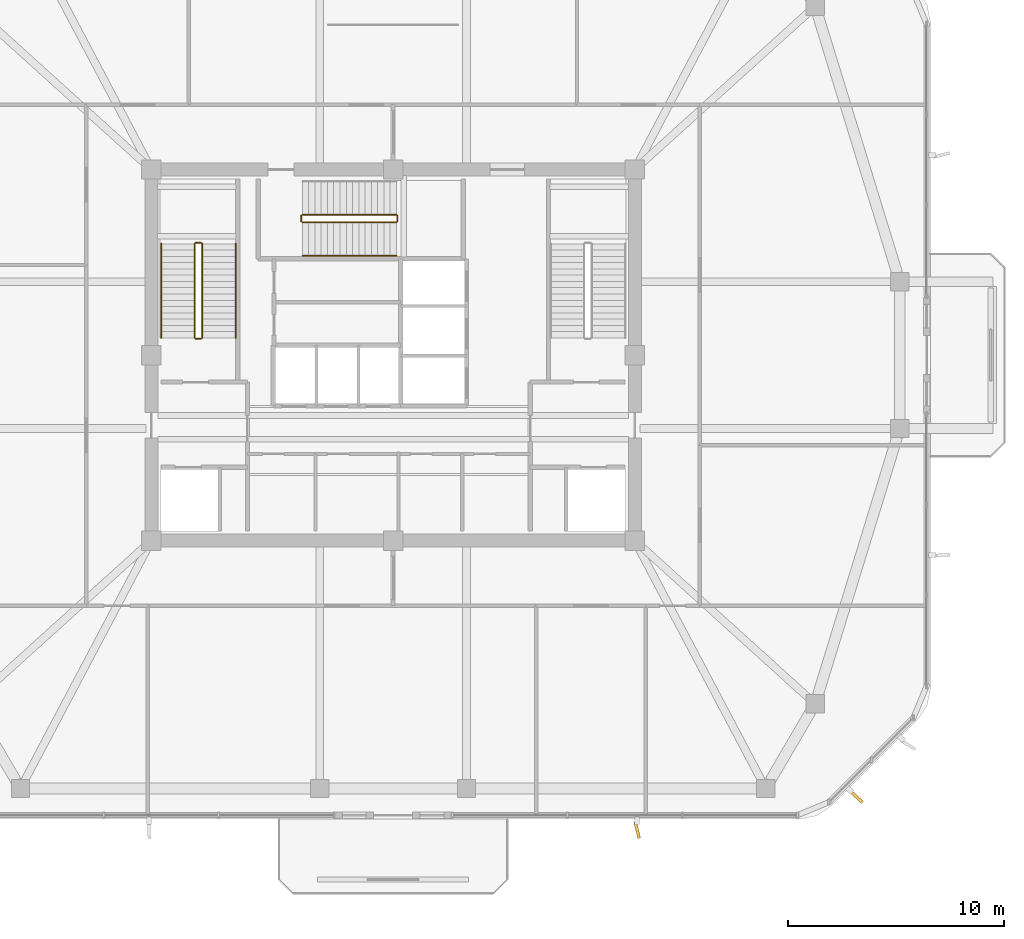
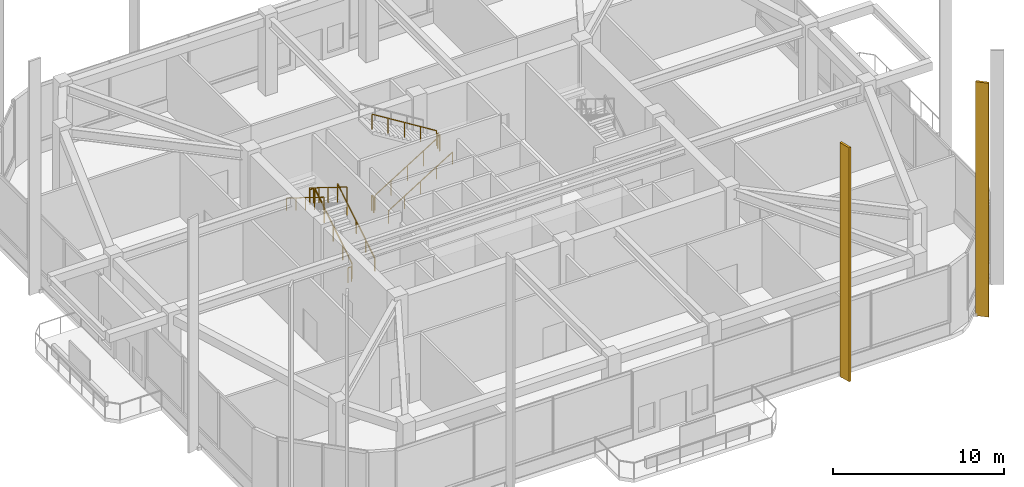
# One storey, part 12 of 14: 11 railings, 2 shading devices.
"""IFC4 building model written with IfcOpenShell, lengths in metres."""

import ifcopenshell
import ifcopenshell.guid

model = None  # the IFC model being written
_history = None  # IfcOwnerHistory: only IFC2X3 demands one
_inside = {}  # id of a spatial element -> (the spatial element, [elements in it])
_under = {}  # id of a project, library or spatial element -> (it, [spatial elements below it])
_declared = {}  # id of a project -> (the project, [libraries it declares])
_typed = {}  # id of a type object -> (the type object, [elements of that type])
_made_of = {}  # id of a material, layer set ... -> (it, [elements and type objects made of it])


def new_model(schema):
    """Start an empty IFC model of exactly this schema.

    Asked for "IFC4X3", IfcOpenShell would pick the latest addendum, in which some entities
    have other attributes; the version numbers below select the first issue.
    IFC2X3 requires an IfcOwnerHistory on every rooted entity: one is made here for all.
    """
    global model, _history
    if schema == "IFC4X3":
        model = ifcopenshell.file(schema_version=(4, 3, 0, 0))
    else:
        model = ifcopenshell.file(schema=schema)
    _inside.clear()
    _under.clear()
    _declared.clear()
    _typed.clear()
    _made_of.clear()
    _history = None
    if model.schema == "IFC2X3":
        org = make("IfcOrganization", Name="unknown")
        user = make(
            "IfcPersonAndOrganization",
            ThePerson=make("IfcPerson", FamilyName="unknown"),
            TheOrganization=org,
        )
        app = make(
            "IfcApplication",
            ApplicationDeveloper=org,
            Version="unknown",
            ApplicationFullName="unknown",
            ApplicationIdentifier="unknown",
        )
        _history = make(
            "IfcOwnerHistory",
            OwningUser=user,
            OwningApplication=app,
            ChangeAction="ADDED",
            CreationDate=0,
        )
    return model


def make(cls, **values):
    """One entity of the class cls with the attributes given. An attribute that is None is left unset."""
    return model.create_entity(
        cls, **{name: value for name, value in values.items() if value is not None}
    )


def rooted(cls, **values):
    """An entity with a GlobalId (a new one), such as an element, a storey or a relation."""
    return make(cls, GlobalId=ifcopenshell.guid.new(), OwnerHistory=_history, **values)


def si_unit(unit_type, name, prefix=None):
    """IfcSIUnit, for example si_unit("LENGTHUNIT", "METRE", prefix="MILLI")."""
    return make("IfcSIUnit", UnitType=unit_type, Prefix=prefix, Name=name)


def derived_unit(unit_type, elements):
    """IfcDerivedUnit: a product of units, each with its exponent."""
    return make(
        "IfcDerivedUnit",
        Elements=[
            make("IfcDerivedUnitElement", Unit=unit, Exponent=power)
            for unit, power in elements
        ],
        UnitType=unit_type,
    )


def assignment(units):
    """IfcUnitAssignment: the units of a project."""
    return None if units is None else make("IfcUnitAssignment", Units=units)


def point(xyz):
    """IfcCartesianPoint."""
    return None if xyz is None else make("IfcCartesianPoint", Coordinates=xyz)


def direction(xyz):
    """IfcDirection."""
    return None if xyz is None else make("IfcDirection", DirectionRatios=xyz)


def frame(location, z_axis=None, x_axis=None):
    """IfcAxis2Placement3D, a coordinate frame: its origin and axes. An axis left out is left unset."""
    return make(
        "IfcAxis2Placement3D",
        Location=point(location),
        Axis=direction(z_axis),
        RefDirection=direction(x_axis),
    )


def frame_2d(location, x_axis=None):
    """IfcAxis2Placement2D, a coordinate frame in the plane: its origin and x axis."""
    return make(
        "IfcAxis2Placement2D", Location=point(location), RefDirection=direction(x_axis)
    )


def origin():
    """The frame at (0, 0, 0) with its axes left unset."""
    return frame((0.0, 0.0, 0.0))


def origin_2d():
    """The frame at (0, 0) in the plane with its x axis left unset."""
    return frame_2d((0.0, 0.0))


def place(relative_to, where):
    """IfcLocalPlacement: puts the frame where relative to a parent placement (None: the world)."""
    return make(
        "IfcLocalPlacement", PlacementRelTo=relative_to, RelativePlacement=where
    )


def context(
    kind, dimensions, precision=None, world=None, true_north=None, identifier=None
):
    """IfcGeometricRepresentationContext, for example the 3D "Model" context."""
    return make(
        "IfcGeometricRepresentationContext",
        ContextIdentifier=identifier,
        ContextType=kind,
        CoordinateSpaceDimension=dimensions,
        Precision=precision,
        WorldCoordinateSystem=world,
        TrueNorth=true_north,
    )


def subcontext(parent, identifier, kind, view, scale=None):
    """IfcGeometricRepresentationSubContext, for example "Body" below "Model"."""
    return make(
        "IfcGeometricRepresentationSubContext",
        ContextIdentifier=identifier,
        ContextType=kind,
        ParentContext=parent,
        TargetScale=scale,
        TargetView=view,
    )


def project(units=None, contexts=None):
    """IfcProject with its units and contexts."""
    return rooted(
        "IfcProject",
        Name="project",
        RepresentationContexts=contexts,
        UnitsInContext=assignment(units),
    )


def spatial(cls, under=None, at=None, **own):
    """A site, building, storey or space (cls), placed at a placement, below another one or the project."""
    s = rooted(cls, ObjectPlacement=at, **own)
    if under is not None:
        _under.setdefault(under.id(), (under, []))[1].append(s)
    return s


def profile(cls, at=None, kind="AREA", **sizes):
    """A parametric profile (cls). Its sizes go by their IFC names, for example OverallWidth=200.0."""
    return make(cls, ProfileType=kind, Position=at, **sizes)


def rectangle(**sizes):
    """IfcRectangleProfileDef."""
    return profile("IfcRectangleProfileDef", **sizes)


def extrude(swept, where, along, depth):
    """IfcExtrudedAreaSolid: the profile swept, set in the frame where, extruded along a direction by depth."""
    return make(
        "IfcExtrudedAreaSolid",
        SweptArea=swept,
        Position=where,
        ExtrudedDirection=direction(along),
        Depth=depth,
    )


def shape(context_of_items, identifier, shape_type, items):
    """IfcShapeRepresentation: the items that make up one representation, for example the "Body"."""
    return make(
        "IfcShapeRepresentation",
        ContextOfItems=context_of_items,
        RepresentationIdentifier=identifier,
        RepresentationType=shape_type,
        Items=items,
    )


def material(Name=None, Category=None):
    """IfcMaterial."""
    return make("IfcMaterial", Name=Name, Category=Category)


def made_of(thing, what):
    """Note that an element or type object is made of a material, layer set ...; save() writes the relation."""
    if what is not None:
        _made_of.setdefault(what.id(), (what, []))[1].append(thing)
    return thing


def type_object(cls, material=None, **own):
    """A type object (cls), such as IfcWallType, which elements share."""
    return made_of(rooted(cls, **own), material)


def element(
    cls,
    number,
    at=None,
    inside=None,
    cuts=None,
    type_object=None,
    material=None,
    context=None,
    identifier="Body",
    shape_type=None,
    held_by="IfcProductDefinitionShape",
    body=None,
    shapes=None,
    **own,
):
    """One element of the class cls, such as IfcWall. Its Tag is "e" and its number.

    at: its placement. inside: the storey or other place that contains it. cuts: it is an
    opening in that element (IfcRelVoidsElement). A single representation is given by context,
    identifier, shape_type and body (its items); several are given by shapes. held_by: the class
    of the entity that holds the representations. save() writes the other relations.
    """
    e = rooted(cls, Tag="e%d" % number, ObjectPlacement=at, **own)
    if body is not None:
        shapes = [shape(context, identifier, shape_type, body)]
    if shapes is not None:
        e.Representation = make(held_by, Representations=shapes)
    if inside is not None:
        _inside.setdefault(inside.id(), (inside, []))[1].append(e)
    if cuts is not None:
        rooted(
            "IfcRelVoidsElement", RelatingBuildingElement=cuts, RelatedOpeningElement=e
        )
    if type_object is not None:
        _typed.setdefault(type_object.id(), (type_object, []))[1].append(e)
    return made_of(e, material)


def aggregate(whole, parts):
    """IfcRelAggregates: a whole, such as a stair, and the parts it consists of."""
    return rooted("IfcRelAggregates", RelatingObject=whole, RelatedObjects=parts)


def save(model, path):
    """Write the relations noted so far, then the file.

    IfcRelAggregates (storeys below a building ...), IfcRelContainedInSpatialStructure (elements
    in a storey), IfcRelDefinesByType, IfcRelAssociatesMaterial and IfcRelDeclares: one each for
    every whole, place, type object, material and project.
    """
    for whole, parts in _under.values():
        aggregate(whole, parts)
    for where, things in _inside.values():
        rooted(
            "IfcRelContainedInSpatialStructure",
            RelatedElements=things,
            RelatingStructure=where,
        )
    for kind, things in _typed.values():
        rooted("IfcRelDefinesByType", RelatedObjects=things, RelatingType=kind)
    for what, things in _made_of.values():
        rooted("IfcRelAssociatesMaterial", RelatedObjects=things, RelatingMaterial=what)
    for by, libraries in _declared.values():
        rooted("IfcRelDeclares", RelatingContext=by, RelatedDefinitions=libraries)
    model.write(path)


model = new_model("IFC4")

# Units and contexts
model_context = context("Model", 3, precision=1e-05, world=origin(), true_north=direction((0.0, 1.0)))
body_context = subcontext(model_context, "Body", "Model", "MODEL_VIEW")
ifc_project = project(units=[si_unit("LENGTHUNIT", "METRE"), si_unit("AREAUNIT", "SQUARE_METRE"), si_unit("VOLUMEUNIT", "CUBIC_METRE"), si_unit("PLANEANGLEUNIT", "RADIAN"), si_unit("MASSUNIT", "GRAM", prefix="KILO"), derived_unit("THERMALTRANSMITTANCEUNIT", [(si_unit("POWERUNIT", "WATT"), 1), (si_unit("LENGTHUNIT", "METRE"), -2), (si_unit("THERMODYNAMICTEMPERATUREUNIT", "KELVIN"), -1)])], contexts=[model_context])

# Site, building, storey
site_placement = place(None, origin())
site = spatial("IfcSite", under=ifc_project, at=site_placement, CompositionType="ELEMENT")
building_placement = place(site_placement, origin())
building = spatial("IfcBuilding", under=site, at=building_placement, Name="Koralith Skygarden Medical Center", CompositionType="ELEMENT")
storey_placement = place(building_placement, frame((0.0, 0.0, 237.06005859375)))
storey = spatial("IfcBuildingStorey", under=building, at=storey_placement, Name="L61", CompositionType="ELEMENT", Elevation=237.06005859375)

# Shading devices
ifc_material_1 = material(Name="Aluminium 6063-T6", Category="aluminium")
shading_device_type = type_object("IfcShadingDeviceType", Name="Limestone-Clad Solar Storm Fin 780", PredefinedType="USERDEFINED", material=ifc_material_1)
for number, where, z_axis, x_axis, name in (
    (1, (48.31005859375, 3.889892578125, -0.199951171875), (0.0, 0.0, 1.0), (0.239092751175, -0.970996733432, 0.0), "L61 S Harmonic Solar Storm Fin 2"),
    (2, (58.4619140625, 5.43994140625, -0.199951171875), (0.0, 0.0, 1.0), (0.733350278476, -0.679850990334, 0.0), "L61 SE Harmonic Solar Storm Fin 1"),
):
    element("IfcShadingDevice", number, at=place(storey_placement, frame(where, z_axis=z_axis, x_axis=x_axis)), inside=storey, type_object=shading_device_type, Name=name, ObjectType="SOLAR FIN", PredefinedType="USERDEFINED", context=body_context, shape_type="SweptSolid", body=[
        extrude(rectangle(XDim=0.780029296875, YDim=0.139892578125, at=origin_2d()), origin(), (0.0, 0.0, 1.0), 16.7099609375),
    ])

# Railings
ifc_material_2 = material(Name="Steel ASTM A500 Grade C", Category="steel")
railing_type_1 = type_object("IfcRailingType", Name="Stair Flight Tubular Handrail 920", PredefinedType="HANDRAIL", material=ifc_material_2)
railing_1_placement = place(storey_placement, frame((29.699951171875, 26.699951171875, 0.179931640625)))
element("IfcRailing", 3, at=railing_1_placement, inside=storey, type_object=railing_type_1, Name="L61 ST1 stair handrail 1", PredefinedType="HANDRAIL", context=body_context, shape_type="SweptSolid", body=[
    extrude(rectangle(XDim=0.050048828125, YDim=0.050048828125, at=origin_2d()), frame((0.0, 0.001708984375, 0.89599609375), z_axis=(0.0, 0.849649743971, 0.527347430608), x_axis=(-1.0, 0.0, 0.0)), (0.0, 0.0, 1.0), 5.115966796875),
    extrude(rectangle(XDim=0.0419921875, YDim=0.0419921875, at=origin_2d()), origin(), (0.0, 0.0, 1.0), 0.867919921875),
    extrude(rectangle(XDim=0.0419921875, YDim=0.0419921875, at=origin_2d()), frame((0.0, 1.08740234375, 0.675048828125)), (0.0, 0.0, 1.0), 0.867919921875),
    extrude(rectangle(XDim=0.0419921875, YDim=0.0419921875, at=origin_2d()), frame((0.0, 2.175048828125, 1.35009765625)), (0.0, 0.0, 1.0), 0.867919921875),
    extrude(rectangle(XDim=0.0419921875, YDim=0.0419921875, at=origin_2d()), frame((0.0, 3.2626953125, 2.02490234375)), (0.0, 0.0, 1.0), 0.867919921875),
    extrude(rectangle(XDim=0.0419921875, YDim=0.0419921875, at=origin_2d()), frame((0.0, 4.35009765625, 2.699951171875)), (0.0, 0.0, 1.0), 0.867919921875),
])
railing_2_placement = place(storey_placement, frame((26.25, 31.050048828125, 3.06005859375)))
element("IfcRailing", 4, at=railing_2_placement, inside=storey, type_object=railing_type_1, Name="L61 ST1 stair handrail 2", PredefinedType="HANDRAIL", context=body_context, shape_type="SweptSolid", body=[
    extrude(rectangle(XDim=0.050048828125, YDim=0.050048828125, at=origin_2d()), frame((0.0, -0.001708984375, 0.89599609375), z_axis=(0.0, -0.849649743971, 0.527347430608), x_axis=(1.0, 0.0, 0.0)), (0.0, 0.0, 1.0), 5.115966796875),
    extrude(rectangle(XDim=0.0419921875, YDim=0.0419921875, at=origin_2d()), origin(), (0.0, 0.0, 1.0), 0.867919921875),
    extrude(rectangle(XDim=0.0419921875, YDim=0.0419921875, at=origin_2d()), frame((0.0, -1.08740234375, 0.675048828125)), (0.0, 0.0, 1.0), 0.867919921875),
    extrude(rectangle(XDim=0.0419921875, YDim=0.0419921875, at=origin_2d()), frame((0.0, -2.175048828125, 1.35009765625)), (0.0, 0.0, 1.0), 0.867919921875),
    extrude(rectangle(XDim=0.0419921875, YDim=0.0419921875, at=origin_2d()), frame((0.0, -3.2626953125, 2.02490234375)), (0.0, 0.0, 1.0), 0.867919921875),
    extrude(rectangle(XDim=0.0419921875, YDim=0.0419921875, at=origin_2d()), frame((0.0, -4.35009765625, 2.699951171875)), (0.0, 0.0, 1.0), 0.867919921875),
])
railing_3_placement = place(storey_placement, frame((32.800048828125, 30.5, 0.179931640625)))
element("IfcRailing", 5, at=railing_3_placement, inside=storey, type_object=railing_type_1, Name="L61 ST3 stair handrail 1", PredefinedType="HANDRAIL", context=body_context, shape_type="SweptSolid", body=[
    extrude(rectangle(XDim=0.050048828125, YDim=0.050048828125, at=origin_2d()), frame((0.001708984375, 0.0, 0.89599609375), z_axis=(0.849636482215, 0.0, 0.527368797038), x_axis=(0.0, 1.0, 0.0)), (0.0, 0.0, 1.0), 5.11572265625),
    extrude(rectangle(XDim=0.0419921875, YDim=0.0419921875, at=origin_2d()), origin(), (0.0, 0.0, 1.0), 0.867919921875),
    extrude(rectangle(XDim=0.0419921875, YDim=0.0419921875, at=origin_2d()), frame((1.08740234375, 0.0, 0.675048828125)), (0.0, 0.0, 1.0), 0.867919921875),
    extrude(rectangle(XDim=0.0419921875, YDim=0.0419921875, at=origin_2d()), frame((2.1748046875, 0.0, 1.35009765625)), (0.0, 0.0, 1.0), 0.867919921875),
    extrude(rectangle(XDim=0.0419921875, YDim=0.0419921875, at=origin_2d()), frame((3.262451171875, 0.0, 2.02490234375)), (0.0, 0.0, 1.0), 0.867919921875),
    extrude(rectangle(XDim=0.0419921875, YDim=0.0419921875, at=origin_2d()), frame((4.349853515625, 0.0, 2.699951171875)), (0.0, 0.0, 1.0), 0.867919921875),
])
railing_type_2 = type_object("IfcRailingType", Name="Stair Well Safety Guardrail 1100", PredefinedType="GUARDRAIL", material=ifc_material_2)
railing_4_placement = place(storey_placement, frame((28.14990234375, 26.699951171875, 0.179931640625)))
element("IfcRailing", 6, at=railing_4_placement, inside=storey, type_object=railing_type_2, Name="L61 ST1 stair guard 1", PredefinedType="GUARDRAIL", context=body_context, shape_type="SweptSolid", body=[
    extrude(rectangle(XDim=0.050048828125, YDim=0.050048828125, at=origin_2d()), frame((0.0, 0.001708984375, 1.076171875), z_axis=(0.0, 0.849649743971, 0.527347430608), x_axis=(-1.0, 0.0, 0.0)), (0.0, 0.0, 1.0), 5.115966796875),
    extrude(rectangle(XDim=0.0419921875, YDim=0.0419921875, at=origin_2d()), origin(), (0.0, 0.0, 1.0), 1.048095703125),
    extrude(rectangle(XDim=0.0419921875, YDim=0.0419921875, at=origin_2d()), frame((0.0, 1.08740234375, 0.675048828125)), (0.0, 0.0, 1.0), 1.048095703125),
    extrude(rectangle(XDim=0.0419921875, YDim=0.0419921875, at=origin_2d()), frame((0.0, 2.175048828125, 1.35009765625)), (0.0, 0.0, 1.0), 1.048095703125),
    extrude(rectangle(XDim=0.0419921875, YDim=0.0419921875, at=origin_2d()), frame((0.0, 3.2626953125, 2.02490234375)), (0.0, 0.0, 1.0), 1.048095703125),
    extrude(rectangle(XDim=0.0419921875, YDim=0.0419921875, at=origin_2d()), frame((0.0, 4.35009765625, 2.699951171875)), (0.0, 0.0, 1.0), 1.048095703125),
])
railing_5_placement = place(storey_placement, frame((28.10009765625, 31.10009765625, 2.8798828125)))
element("IfcRailing", 7, at=railing_5_placement, inside=storey, type_object=railing_type_2, Name="L61 ST1 stair guard 2", PredefinedType="GUARDRAIL", context=body_context, shape_type="SweptSolid", body=[
    extrude(rectangle(XDim=0.050048828125, YDim=0.050048828125, at=origin_2d()), frame((-0.001953125, 0.0, 1.0751953125), z_axis=(-1.0, 0.0, 0.0), x_axis=(0.0, -1.0, 0.0)), (0.0, 0.0, 1.0), 0.24609375),
    extrude(rectangle(XDim=0.0419921875, YDim=0.0419921875, at=origin_2d()), origin(), (0.0, 0.0, 1.0), 1.048095703125),
    extrude(rectangle(XDim=0.0419921875, YDim=0.0419921875, at=origin_2d()), frame((-0.25, 0.0, 0.0)), (0.0, 0.0, 1.0), 1.048095703125),
])
railing_6_placement = place(storey_placement, frame((27.800048828125, 31.050048828125, 3.06005859375)))
element("IfcRailing", 8, at=railing_6_placement, inside=storey, type_object=railing_type_2, Name="L61 ST1 stair guard 3", PredefinedType="GUARDRAIL", context=body_context, shape_type="SweptSolid", body=[
    extrude(rectangle(XDim=0.050048828125, YDim=0.050048828125, at=origin_2d()), frame((0.0, -0.001708984375, 1.076171875), z_axis=(0.0, -0.849649743971, 0.527347430608), x_axis=(1.0, 0.0, 0.0)), (0.0, 0.0, 1.0), 5.115966796875),
    extrude(rectangle(XDim=0.0419921875, YDim=0.0419921875, at=origin_2d()), origin(), (0.0, 0.0, 1.0), 1.048095703125),
    extrude(rectangle(XDim=0.0419921875, YDim=0.0419921875, at=origin_2d()), frame((0.0, -1.08740234375, 0.675048828125)), (0.0, 0.0, 1.0), 1.048095703125),
    extrude(rectangle(XDim=0.0419921875, YDim=0.0419921875, at=origin_2d()), frame((0.0, -2.175048828125, 1.35009765625)), (0.0, 0.0, 1.0), 1.048095703125),
    extrude(rectangle(XDim=0.0419921875, YDim=0.0419921875, at=origin_2d()), frame((0.0, -3.2626953125, 2.02490234375)), (0.0, 0.0, 1.0), 1.048095703125),
    extrude(rectangle(XDim=0.0419921875, YDim=0.0419921875, at=origin_2d()), frame((0.0, -4.35009765625, 2.699951171875)), (0.0, 0.0, 1.0), 1.048095703125),
])
railing_7_placement = place(storey_placement, frame((28.10009765625, 26.64990234375, 0.0)))
element("IfcRailing", 9, at=railing_7_placement, inside=storey, type_object=railing_type_2, Name="L61 ST1 stair guard 4", PredefinedType="GUARDRAIL", context=body_context, shape_type="SweptSolid", body=[
    extrude(rectangle(XDim=0.050048828125, YDim=0.050048828125, at=origin_2d()), frame((-0.001953125, 0.0, 1.0751953125), z_axis=(-1.0, 0.0, 0.0), x_axis=(0.0, -1.0, 0.0)), (0.0, 0.0, 1.0), 0.24609375),
    extrude(rectangle(XDim=0.0419921875, YDim=0.0419921875, at=origin_2d()), origin(), (0.0, 0.0, 1.0), 1.048095703125),
    extrude(rectangle(XDim=0.0419921875, YDim=0.0419921875, at=origin_2d()), frame((-0.25, 0.0, 0.0)), (0.0, 0.0, 1.0), 1.048095703125),
])
railing_8_placement = place(storey_placement, frame((32.800048828125, 32.050048828125, 0.179931640625)))
element("IfcRailing", 10, at=railing_8_placement, inside=storey, type_object=railing_type_2, Name="L61 ST3 stair guard 1", PredefinedType="GUARDRAIL", context=body_context, shape_type="SweptSolid", body=[
    extrude(rectangle(XDim=0.050048828125, YDim=0.050048828125, at=origin_2d()), frame((0.001708984375, 0.0, 1.076171875), z_axis=(0.849636482215, 0.0, 0.527368797038), x_axis=(0.0, 1.0, 0.0)), (0.0, 0.0, 1.0), 5.11572265625),
    extrude(rectangle(XDim=0.0419921875, YDim=0.0419921875, at=origin_2d()), origin(), (0.0, 0.0, 1.0), 1.048095703125),
    extrude(rectangle(XDim=0.0419921875, YDim=0.0419921875, at=origin_2d()), frame((1.08740234375, 0.0, 0.675048828125)), (0.0, 0.0, 1.0), 1.048095703125),
    extrude(rectangle(XDim=0.0419921875, YDim=0.0419921875, at=origin_2d()), frame((2.1748046875, 0.0, 1.35009765625)), (0.0, 0.0, 1.0), 1.048095703125),
    extrude(rectangle(XDim=0.0419921875, YDim=0.0419921875, at=origin_2d()), frame((3.262451171875, 0.0, 2.02490234375)), (0.0, 0.0, 1.0), 1.048095703125),
    extrude(rectangle(XDim=0.0419921875, YDim=0.0419921875, at=origin_2d()), frame((4.349853515625, 0.0, 2.699951171875)), (0.0, 0.0, 1.0), 1.048095703125),
])
railing_9_placement = place(storey_placement, frame((37.199951171875, 32.10009765625, 2.8798828125)))
element("IfcRailing", 11, at=railing_9_placement, inside=storey, type_object=railing_type_2, Name="L61 ST3 stair guard 2", PredefinedType="GUARDRAIL", context=body_context, shape_type="SweptSolid", body=[
    extrude(rectangle(XDim=0.050048828125, YDim=0.050048828125, at=origin_2d()), frame((0.0, 0.001953125, 1.0751953125), z_axis=(0.0, 1.0, 0.0), x_axis=(-1.0, 0.0, 0.0)), (0.0, 0.0, 1.0), 0.24609375),
    extrude(rectangle(XDim=0.0419921875, YDim=0.0419921875, at=origin_2d()), origin(), (0.0, 0.0, 1.0), 1.048095703125),
    extrude(rectangle(XDim=0.0419921875, YDim=0.0419921875, at=origin_2d()), frame((0.0, 0.25, 0.0)), (0.0, 0.0, 1.0), 1.048095703125),
])
railing_10_placement = place(storey_placement, frame((37.14990234375, 32.39990234375, 3.06005859375)))
element("IfcRailing", 12, at=railing_10_placement, inside=storey, type_object=railing_type_2, Name="L61 ST3 stair guard 3", PredefinedType="GUARDRAIL", context=body_context, shape_type="SweptSolid", body=[
    extrude(rectangle(XDim=0.050048828125, YDim=0.050048828125, at=origin_2d()), frame((-0.001708984375, 0.0, 1.076171875), z_axis=(-0.849636482215, 0.0, 0.527368797038), x_axis=(0.0, -1.0, 0.0)), (0.0, 0.0, 1.0), 5.11572265625),
    extrude(rectangle(XDim=0.0419921875, YDim=0.0419921875, at=origin_2d()), origin(), (0.0, 0.0, 1.0), 1.048095703125),
    extrude(rectangle(XDim=0.0419921875, YDim=0.0419921875, at=origin_2d()), frame((-1.08740234375, 0.0, 0.675048828125)), (0.0, 0.0, 1.0), 1.048095703125),
    extrude(rectangle(XDim=0.0419921875, YDim=0.0419921875, at=origin_2d()), frame((-2.1748046875, 0.0, 1.35009765625)), (0.0, 0.0, 1.0), 1.048095703125),
    extrude(rectangle(XDim=0.0419921875, YDim=0.0419921875, at=origin_2d()), frame((-3.262451171875, 0.0, 2.02490234375)), (0.0, 0.0, 1.0), 1.048095703125),
    extrude(rectangle(XDim=0.0419921875, YDim=0.0419921875, at=origin_2d()), frame((-4.349853515625, 0.0, 2.699951171875)), (0.0, 0.0, 1.0), 1.048095703125),
])
railing_11_placement = place(storey_placement, frame((32.75, 32.10009765625, 0.0)))
element("IfcRailing", 13, at=railing_11_placement, inside=storey, type_object=railing_type_2, Name="L61 ST3 stair guard 4", PredefinedType="GUARDRAIL", context=body_context, shape_type="SweptSolid", body=[
    extrude(rectangle(XDim=0.050048828125, YDim=0.050048828125, at=origin_2d()), frame((0.0, 0.001953125, 1.0751953125), z_axis=(0.0, 1.0, 0.0), x_axis=(-1.0, 0.0, 0.0)), (0.0, 0.0, 1.0), 0.24609375),
    extrude(rectangle(XDim=0.0419921875, YDim=0.0419921875, at=origin_2d()), origin(), (0.0, 0.0, 1.0), 1.048095703125),
    extrude(rectangle(XDim=0.0419921875, YDim=0.0419921875, at=origin_2d()), frame((0.0, 0.25, 0.0)), (0.0, 0.0, 1.0), 1.048095703125),
])

save(model, "model.ifc")
